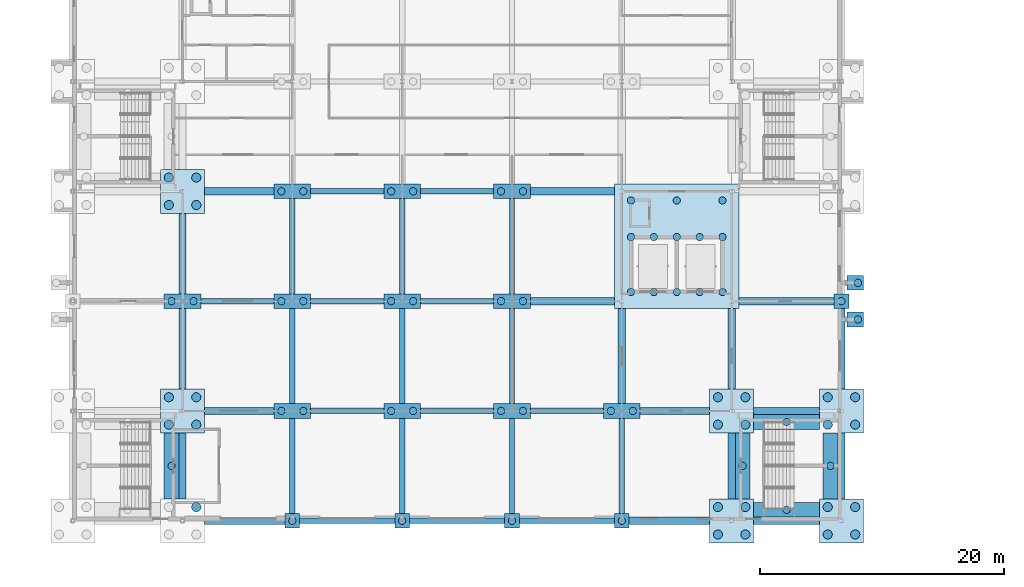
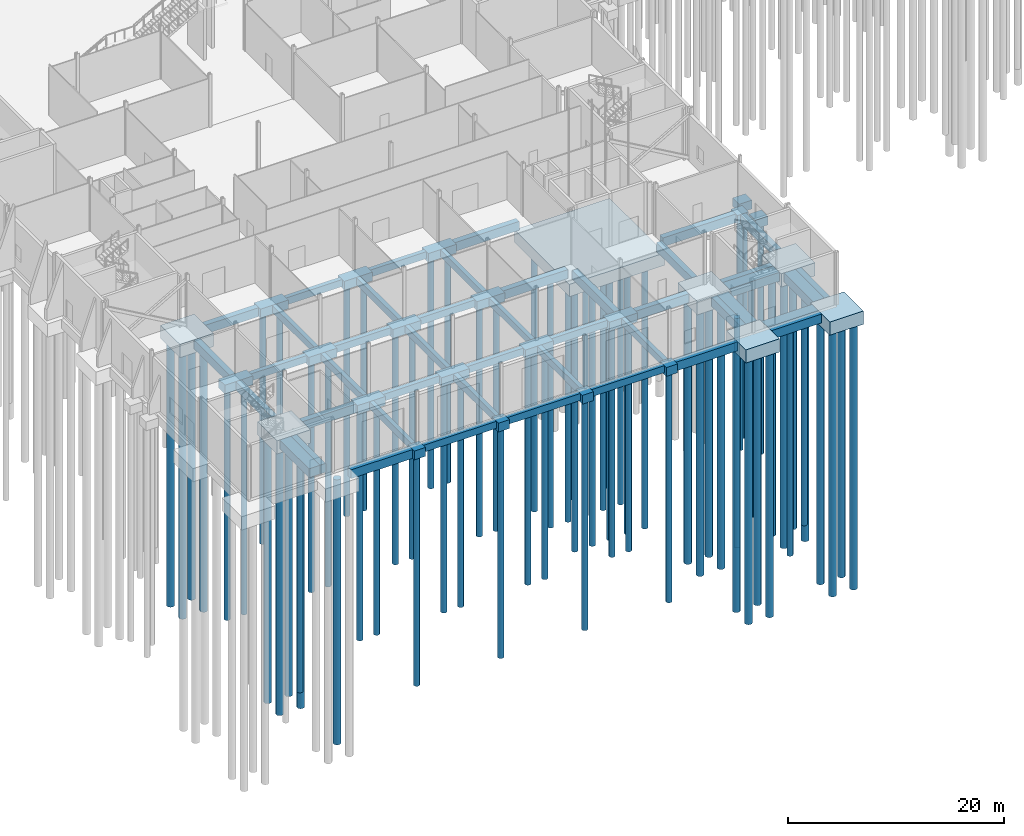
# One storey, part 2 of 139: 72 piles, 69 footings.
"""IFC4 building model written with IfcOpenShell, lengths in metres."""

import ifcopenshell
import ifcopenshell.guid

model = None  # the IFC model being written
_history = None  # IfcOwnerHistory: only IFC2X3 demands one
_inside = {}  # id of a spatial element -> (the spatial element, [elements in it])
_under = {}  # id of a project, library or spatial element -> (it, [spatial elements below it])
_declared = {}  # id of a project -> (the project, [libraries it declares])
_typed = {}  # id of a type object -> (the type object, [elements of that type])
_made_of = {}  # id of a material, layer set ... -> (it, [elements and type objects made of it])


def new_model(schema):
    """Start an empty IFC model of exactly this schema.

    Asked for "IFC4X3", IfcOpenShell would pick the latest addendum, in which some entities
    have other attributes; the version numbers below select the first issue.
    IFC2X3 requires an IfcOwnerHistory on every rooted entity: one is made here for all.
    """
    global model, _history
    if schema == "IFC4X3":
        model = ifcopenshell.file(schema_version=(4, 3, 0, 0))
    else:
        model = ifcopenshell.file(schema=schema)
    _inside.clear()
    _under.clear()
    _declared.clear()
    _typed.clear()
    _made_of.clear()
    _history = None
    if model.schema == "IFC2X3":
        org = make("IfcOrganization", Name="unknown")
        user = make(
            "IfcPersonAndOrganization",
            ThePerson=make("IfcPerson", FamilyName="unknown"),
            TheOrganization=org,
        )
        app = make(
            "IfcApplication",
            ApplicationDeveloper=org,
            Version="unknown",
            ApplicationFullName="unknown",
            ApplicationIdentifier="unknown",
        )
        _history = make(
            "IfcOwnerHistory",
            OwningUser=user,
            OwningApplication=app,
            ChangeAction="ADDED",
            CreationDate=0,
        )
    return model


def make(cls, **values):
    """One entity of the class cls with the attributes given. An attribute that is None is left unset."""
    return model.create_entity(
        cls, **{name: value for name, value in values.items() if value is not None}
    )


def rooted(cls, **values):
    """An entity with a GlobalId (a new one), such as an element, a storey or a relation."""
    return make(cls, GlobalId=ifcopenshell.guid.new(), OwnerHistory=_history, **values)


def si_unit(unit_type, name, prefix=None):
    """IfcSIUnit, for example si_unit("LENGTHUNIT", "METRE", prefix="MILLI")."""
    return make("IfcSIUnit", UnitType=unit_type, Prefix=prefix, Name=name)


def assignment(units):
    """IfcUnitAssignment: the units of a project."""
    return None if units is None else make("IfcUnitAssignment", Units=units)


def point(xyz):
    """IfcCartesianPoint."""
    return None if xyz is None else make("IfcCartesianPoint", Coordinates=xyz)


def direction(xyz):
    """IfcDirection."""
    return None if xyz is None else make("IfcDirection", DirectionRatios=xyz)


def frame(location, z_axis=None, x_axis=None):
    """IfcAxis2Placement3D, a coordinate frame: its origin and axes. An axis left out is left unset."""
    return make(
        "IfcAxis2Placement3D",
        Location=point(location),
        Axis=direction(z_axis),
        RefDirection=direction(x_axis),
    )


def frame_2d(location, x_axis=None):
    """IfcAxis2Placement2D, a coordinate frame in the plane: its origin and x axis."""
    return make(
        "IfcAxis2Placement2D", Location=point(location), RefDirection=direction(x_axis)
    )


def origin():
    """The frame at (0, 0, 0) with its axes left unset."""
    return frame((0.0, 0.0, 0.0))


def origin_2d():
    """The frame at (0, 0) in the plane with its x axis left unset."""
    return frame_2d((0.0, 0.0))


def place(relative_to, where):
    """IfcLocalPlacement: puts the frame where relative to a parent placement (None: the world)."""
    return make(
        "IfcLocalPlacement", PlacementRelTo=relative_to, RelativePlacement=where
    )


def context(
    kind, dimensions, precision=None, world=None, true_north=None, identifier=None
):
    """IfcGeometricRepresentationContext, for example the 3D "Model" context."""
    return make(
        "IfcGeometricRepresentationContext",
        ContextIdentifier=identifier,
        ContextType=kind,
        CoordinateSpaceDimension=dimensions,
        Precision=precision,
        WorldCoordinateSystem=world,
        TrueNorth=true_north,
    )


def subcontext(parent, identifier, kind, view, scale=None):
    """IfcGeometricRepresentationSubContext, for example "Body" below "Model"."""
    return make(
        "IfcGeometricRepresentationSubContext",
        ContextIdentifier=identifier,
        ContextType=kind,
        ParentContext=parent,
        TargetScale=scale,
        TargetView=view,
    )


def project(units=None, contexts=None):
    """IfcProject with its units and contexts."""
    return rooted(
        "IfcProject",
        Name="project",
        RepresentationContexts=contexts,
        UnitsInContext=assignment(units),
    )


def spatial(cls, under=None, at=None, **own):
    """A site, building, storey or space (cls), placed at a placement, below another one or the project."""
    s = rooted(cls, ObjectPlacement=at, **own)
    if under is not None:
        _under.setdefault(under.id(), (under, []))[1].append(s)
    return s


def profile(cls, at=None, kind="AREA", **sizes):
    """A parametric profile (cls). Its sizes go by their IFC names, for example OverallWidth=200.0."""
    return make(cls, ProfileType=kind, Position=at, **sizes)


def rectangle(**sizes):
    """IfcRectangleProfileDef."""
    return profile("IfcRectangleProfileDef", **sizes)


def circle(**sizes):
    """IfcCircleProfileDef."""
    return profile("IfcCircleProfileDef", **sizes)


def extrude(swept, where, along, depth):
    """IfcExtrudedAreaSolid: the profile swept, set in the frame where, extruded along a direction by depth."""
    return make(
        "IfcExtrudedAreaSolid",
        SweptArea=swept,
        Position=where,
        ExtrudedDirection=direction(along),
        Depth=depth,
    )


def shape(context_of_items, identifier, shape_type, items):
    """IfcShapeRepresentation: the items that make up one representation, for example the "Body"."""
    return make(
        "IfcShapeRepresentation",
        ContextOfItems=context_of_items,
        RepresentationIdentifier=identifier,
        RepresentationType=shape_type,
        Items=items,
    )


def material(Name=None, Category=None):
    """IfcMaterial."""
    return make("IfcMaterial", Name=Name, Category=Category)


def material_profile(
    of_material, cross_section, Name=None, Category=None, Priority=None
):
    """IfcMaterialProfile: a cross section and its material."""
    return make(
        "IfcMaterialProfile",
        Name=Name,
        Material=of_material,
        Profile=cross_section,
        Priority=Priority,
        Category=Category,
    )


def profile_set(profiles, Name=None, composite=None):
    """IfcMaterialProfileSet."""
    return make(
        "IfcMaterialProfileSet",
        Name=Name,
        MaterialProfiles=profiles,
        CompositeProfile=composite,
    )


def made_of(thing, what):
    """Note that an element or type object is made of a material, layer set ...; save() writes the relation."""
    if what is not None:
        _made_of.setdefault(what.id(), (what, []))[1].append(thing)
    return thing


def type_object(cls, material=None, **own):
    """A type object (cls), such as IfcWallType, which elements share."""
    return made_of(rooted(cls, **own), material)


def element(
    cls,
    number,
    at=None,
    inside=None,
    cuts=None,
    type_object=None,
    material=None,
    context=None,
    identifier="Body",
    shape_type=None,
    held_by="IfcProductDefinitionShape",
    body=None,
    shapes=None,
    **own,
):
    """One element of the class cls, such as IfcWall. Its Tag is "e" and its number.

    at: its placement. inside: the storey or other place that contains it. cuts: it is an
    opening in that element (IfcRelVoidsElement). A single representation is given by context,
    identifier, shape_type and body (its items); several are given by shapes. held_by: the class
    of the entity that holds the representations. save() writes the other relations.
    """
    e = rooted(cls, Tag="e%d" % number, ObjectPlacement=at, **own)
    if body is not None:
        shapes = [shape(context, identifier, shape_type, body)]
    if shapes is not None:
        e.Representation = make(held_by, Representations=shapes)
    if inside is not None:
        _inside.setdefault(inside.id(), (inside, []))[1].append(e)
    if cuts is not None:
        rooted(
            "IfcRelVoidsElement", RelatingBuildingElement=cuts, RelatedOpeningElement=e
        )
    if type_object is not None:
        _typed.setdefault(type_object.id(), (type_object, []))[1].append(e)
    return made_of(e, material)


def aggregate(whole, parts):
    """IfcRelAggregates: a whole, such as a stair, and the parts it consists of."""
    return rooted("IfcRelAggregates", RelatingObject=whole, RelatedObjects=parts)


def save(model, path):
    """Write the relations noted so far, then the file.

    IfcRelAggregates (storeys below a building ...), IfcRelContainedInSpatialStructure (elements
    in a storey), IfcRelDefinesByType, IfcRelAssociatesMaterial and IfcRelDeclares: one each for
    every whole, place, type object, material and project.
    """
    for whole, parts in _under.values():
        aggregate(whole, parts)
    for where, things in _inside.values():
        rooted(
            "IfcRelContainedInSpatialStructure",
            RelatedElements=things,
            RelatingStructure=where,
        )
    for kind, things in _typed.values():
        rooted("IfcRelDefinesByType", RelatedObjects=things, RelatingType=kind)
    for what, things in _made_of.values():
        rooted("IfcRelAssociatesMaterial", RelatedObjects=things, RelatingMaterial=what)
    for by, libraries in _declared.values():
        rooted("IfcRelDeclares", RelatingContext=by, RelatedDefinitions=libraries)
    model.write(path)


model = new_model("IFC4")

# Units and contexts
model_context = context("Model", 3, precision=1e-05, world=origin(), true_north=direction((0.0, 1.0)))
body_context = subcontext(model_context, "Body", "Model", "MODEL_VIEW")
ifc_project = project(units=[si_unit("LENGTHUNIT", "METRE"), si_unit("AREAUNIT", "SQUARE_METRE"), si_unit("VOLUMEUNIT", "CUBIC_METRE"), si_unit("PLANEANGLEUNIT", "RADIAN"), si_unit("MASSUNIT", "GRAM", prefix="KILO")], contexts=[model_context])

# Site, building, storey
site_placement = place(None, origin())
site = spatial("IfcSite", under=ifc_project, at=site_placement, CompositionType="ELEMENT")
building_placement = place(site_placement, origin())
building = spatial("IfcBuilding", under=site, at=building_placement, Name="Shorebreak Coast Museum", CompositionType="ELEMENT")
storey_placement = place(building_placement, origin())
storey = spatial("IfcBuildingStorey", under=building, at=storey_placement, Name="L00", CompositionType="ELEMENT", Elevation=0.0)

# Footings
ifc_material_1 = material(Name="Concrete N50 (50 MPa)", Category="concrete")
footing_type_1 = type_object("IfcFootingType", Name="Footing ground beam 450x800", PredefinedType="FOOTING_BEAM", material=ifc_material_1)
footing_1_placement = place(storey_placement, frame((76.5, 0.0, -1.10009765625), z_axis=(0.0, 0.0, 1.0), x_axis=(1.0, 0.0, 0.0)))
element("IfcFooting", 1, at=footing_1_placement, inside=storey, type_object=footing_type_1, Name="Ground beam 9A to 10A", PredefinedType="FOOTING_BEAM", context=body_context, shape_type="SweptSolid", body=[
    extrude(rectangle(XDim=7.800048828125, YDim=0.449951171875, at=origin_2d()), origin(), (0.0, 0.0, 1.0), 0.800048828125),
])
footing_2_placement = place(storey_placement, frame((72.0, 4.5, -1.10009765625), z_axis=(0.0, 0.0, 1.0), x_axis=(1.0, 0.0, 0.0)))
element("IfcFooting", 2, at=footing_2_placement, inside=storey, type_object=footing_type_1, Name="Ground beam 9A to 9B", PredefinedType="FOOTING_BEAM", context=body_context, shape_type="SweptSolid", body=[
    extrude(rectangle(XDim=0.449951171875, YDim=7.800048828125, at=origin_2d()), origin(), (0.0, 0.0, 1.0), 0.800048828125),
])
footing_3_placement = place(storey_placement, frame((85.5, 0.0, -1.10009765625), z_axis=(0.0, 0.0, 1.0), x_axis=(1.0, 0.0, 0.0)))
element("IfcFooting", 3, at=footing_3_placement, inside=storey, type_object=footing_type_1, Name="Ground beam 10A to 11A", PredefinedType="FOOTING_BEAM", context=body_context, shape_type="SweptSolid", body=[
    extrude(rectangle(XDim=7.800048828125, YDim=0.449951171875, at=origin_2d()), origin(), (0.0, 0.0, 1.0), 0.800048828125),
])
footing_4_placement = place(storey_placement, frame((81.0, 4.5, -1.10009765625), z_axis=(0.0, 0.0, 1.0), x_axis=(1.0, 0.0, 0.0)))
element("IfcFooting", 4, at=footing_4_placement, inside=storey, type_object=footing_type_1, Name="Ground beam 10A to 10B", PredefinedType="FOOTING_BEAM", context=body_context, shape_type="SweptSolid", body=[
    extrude(rectangle(XDim=0.449951171875, YDim=7.800048828125, at=origin_2d()), origin(), (0.0, 0.0, 1.0), 0.800048828125),
])
footing_5_placement = place(storey_placement, frame((94.5, 0.0, -1.10009765625), z_axis=(0.0, 0.0, 1.0), x_axis=(1.0, 0.0, 0.0)))
element("IfcFooting", 5, at=footing_5_placement, inside=storey, type_object=footing_type_1, Name="Ground beam 11A to 12A", PredefinedType="FOOTING_BEAM", context=body_context, shape_type="SweptSolid", body=[
    extrude(rectangle(XDim=7.800048828125, YDim=0.449951171875, at=origin_2d()), origin(), (0.0, 0.0, 1.0), 0.800048828125),
])
for number, where, z_axis, x_axis, name in (
    (6, (90.0, 4.5, -1.10009765625), (0.0, 0.0, 1.0), (1.0, 0.0, 0.0), "Ground beam 11A to 11B"),
    (7, (99.0, 4.5, -1.10009765625), (0.0, 0.0, 1.0), (1.0, 0.0, 0.0), "Ground beam 12A to 12B"),
):
    element("IfcFooting", number, at=place(storey_placement, frame(where, z_axis=z_axis, x_axis=x_axis)), inside=storey, type_object=footing_type_1, Name=name, PredefinedType="FOOTING_BEAM", context=body_context, shape_type="SweptSolid", body=[
        extrude(rectangle(XDim=0.449951171875, YDim=7.800048828125, at=origin_2d()), origin(), (0.0, 0.0, 1.0), 0.800048828125),
    ])
footing_6_placement = place(storey_placement, frame((76.5, 9.0, -1.10009765625), z_axis=(0.0, 0.0, 1.0), x_axis=(1.0, 0.0, 0.0)))
element("IfcFooting", 8, at=footing_6_placement, inside=storey, type_object=footing_type_1, Name="Ground beam 9B to 10B", PredefinedType="FOOTING_BEAM", context=body_context, shape_type="SweptSolid", body=[
    extrude(rectangle(XDim=6.0, YDim=0.449951171875, at=origin_2d()), origin(), (0.0, 0.0, 1.0), 0.800048828125),
])
footing_7_placement = place(storey_placement, frame((72.0, 13.5, -1.10009765625), z_axis=(0.0, 0.0, 1.0), x_axis=(1.0, 0.0, 0.0)))
element("IfcFooting", 9, at=footing_7_placement, inside=storey, type_object=footing_type_1, Name="Ground beam 9B to 9C", PredefinedType="FOOTING_BEAM", context=body_context, shape_type="SweptSolid", body=[
    extrude(rectangle(XDim=0.449951171875, YDim=7.800048828125, at=origin_2d()), origin(), (0.0, 0.0, 1.0), 0.800048828125),
])
footing_8_placement = place(storey_placement, frame((85.5, 9.0, -1.10009765625), z_axis=(0.0, 0.0, 1.0), x_axis=(1.0, 0.0, 0.0)))
element("IfcFooting", 10, at=footing_8_placement, inside=storey, type_object=footing_type_1, Name="Ground beam 10B to 11B", PredefinedType="FOOTING_BEAM", context=body_context, shape_type="SweptSolid", body=[
    extrude(rectangle(XDim=6.0, YDim=0.449951171875, at=origin_2d()), origin(), (0.0, 0.0, 1.0), 0.800048828125),
])
footing_9_placement = place(storey_placement, frame((81.0, 13.5, -1.10009765625), z_axis=(0.0, 0.0, 1.0), x_axis=(1.0, 0.0, 0.0)))
element("IfcFooting", 11, at=footing_9_placement, inside=storey, type_object=footing_type_1, Name="Ground beam 10B to 10C", PredefinedType="FOOTING_BEAM", context=body_context, shape_type="SweptSolid", body=[
    extrude(rectangle(XDim=0.449951171875, YDim=7.800048828125, at=origin_2d()), origin(), (0.0, 0.0, 1.0), 0.800048828125),
])
footing_10_placement = place(storey_placement, frame((94.5, 9.0, -1.10009765625), z_axis=(0.0, 0.0, 1.0), x_axis=(1.0, 0.0, 0.0)))
element("IfcFooting", 12, at=footing_10_placement, inside=storey, type_object=footing_type_1, Name="Ground beam 11B to 12B", PredefinedType="FOOTING_BEAM", context=body_context, shape_type="SweptSolid", body=[
    extrude(rectangle(XDim=6.0, YDim=0.449951171875, at=origin_2d()), origin(), (0.0, 0.0, 1.0), 0.800048828125),
])
footing_11_placement = place(storey_placement, frame((90.0, 13.5, -1.10009765625), z_axis=(0.0, 0.0, 1.0), x_axis=(1.0, 0.0, 0.0)))
element("IfcFooting", 13, at=footing_11_placement, inside=storey, type_object=footing_type_1, Name="Ground beam 11B to 11C", PredefinedType="FOOTING_BEAM", context=body_context, shape_type="SweptSolid", body=[
    extrude(rectangle(XDim=0.449951171875, YDim=7.800048828125, at=origin_2d()), origin(), (0.0, 0.0, 1.0), 0.800048828125),
])
for number, where, z_axis, x_axis, name in (
    (14, (67.5, 18.0, -1.10009765625), (0.0, 0.0, 1.0), (1.0, 0.0, 0.0), "Ground beam 8C to 9C"),
    (15, (76.5, 18.0, -1.10009765625), (0.0, 0.0, 1.0), (1.0, 0.0, 0.0), "Ground beam 9C to 10C"),
):
    element("IfcFooting", number, at=place(storey_placement, frame(where, z_axis=z_axis, x_axis=x_axis)), inside=storey, type_object=footing_type_1, Name=name, PredefinedType="FOOTING_BEAM", context=body_context, shape_type="SweptSolid", body=[
        extrude(rectangle(XDim=6.0, YDim=0.449951171875, at=origin_2d()), origin(), (0.0, 0.0, 1.0), 0.800048828125),
    ])
footing_12_placement = place(storey_placement, frame((72.0, 22.5, -1.10009765625), z_axis=(0.0, 0.0, 1.0), x_axis=(1.0, 0.0, 0.0)))
element("IfcFooting", 16, at=footing_12_placement, inside=storey, type_object=footing_type_1, Name="Ground beam 9C to 9D", PredefinedType="FOOTING_BEAM", context=body_context, shape_type="SweptSolid", body=[
    extrude(rectangle(XDim=0.449951171875, YDim=7.800048828125, at=origin_2d()), origin(), (0.0, 0.0, 1.0), 0.800048828125),
])
footing_13_placement = place(storey_placement, frame((85.5, 18.0, -1.10009765625), z_axis=(0.0, 0.0, 1.0), x_axis=(1.0, 0.0, 0.0)))
element("IfcFooting", 17, at=footing_13_placement, inside=storey, type_object=footing_type_1, Name="Ground beam 10C to 11C", PredefinedType="FOOTING_BEAM", context=body_context, shape_type="SweptSolid", body=[
    extrude(rectangle(XDim=6.0, YDim=0.449951171875, at=origin_2d()), origin(), (0.0, 0.0, 1.0), 0.800048828125),
])
for number, where, z_axis, x_axis, name in (
    (18, (81.0, 22.5, -1.10009765625), (0.0, 0.0, 1.0), (1.0, 0.0, 0.0), "Ground beam 10C to 10D"),
    (19, (90.0, 22.5, -1.10009765625), (0.0, 0.0, 1.0), (1.0, 0.0, 0.0), "Ground beam 11C to 11D"),
):
    element("IfcFooting", number, at=place(storey_placement, frame(where, z_axis=z_axis, x_axis=x_axis)), inside=storey, type_object=footing_type_1, Name=name, PredefinedType="FOOTING_BEAM", context=body_context, shape_type="SweptSolid", body=[
        extrude(rectangle(XDim=0.449951171875, YDim=7.800048828125, at=origin_2d()), origin(), (0.0, 0.0, 1.0), 0.800048828125),
    ])
for number, where, z_axis, x_axis, name in (
    (20, (76.5, 27.0, -1.10009765625), (0.0, 0.0, 1.0), (1.0, 0.0, 0.0), "Ground beam 9D to 10D"),
    (21, (85.5, 27.0, -1.10009765625), (0.0, 0.0, 1.0), (1.0, 0.0, 0.0), "Ground beam 10D to 11D"),
):
    element("IfcFooting", number, at=place(storey_placement, frame(where, z_axis=z_axis, x_axis=x_axis)), inside=storey, type_object=footing_type_1, Name=name, PredefinedType="FOOTING_BEAM", context=body_context, shape_type="SweptSolid", body=[
        extrude(rectangle(XDim=6.0, YDim=0.449951171875, at=origin_2d()), origin(), (0.0, 0.0, 1.0), 0.800048828125),
    ])
ifc_material_2 = material(Name="Concrete N50 (50 MPa)", Category="concrete")
footing_type_2 = type_object("IfcFootingType", Name="Footing ground beam 600x1000", PredefinedType="FOOTING_BEAM", material=ifc_material_2)
footing_14_placement = place(storey_placement, frame((68.10009765625, 0.0, -1.300048828125), z_axis=(0.0, 0.0, 1.0), x_axis=(1.0, 0.0, 0.0)))
element("IfcFooting", 22, at=footing_14_placement, inside=storey, type_object=footing_type_2, Name="Ground beam 8A to 9A", PredefinedType="FOOTING_BEAM", context=body_context, shape_type="SweptSolid", body=[
    extrude(rectangle(XDim=6.60009765625, YDim=0.60009765625, at=origin_2d()), origin(), (0.0, 0.0, 1.0), 1.0),
])
footing_15_placement = place(storey_placement, frame((63.0, 4.5, -1.300048828125), z_axis=(0.0, 0.0, 1.0), x_axis=(1.0, 0.0, 0.0)))
element("IfcFooting", 23, at=footing_15_placement, inside=storey, type_object=footing_type_2, Name="Ground beam 8A to 8B", PredefinedType="FOOTING_BEAM", context=body_context, shape_type="SweptSolid", body=[
    extrude(rectangle(XDim=0.60009765625, YDim=5.39990234375, at=origin_2d()), origin(), (0.0, 0.0, 1.0), 1.0),
])
footing_16_placement = place(storey_placement, frame((102.89990234375, 0.0, -1.300048828125), z_axis=(0.0, 0.0, 1.0), x_axis=(1.0, 0.0, 0.0)))
element("IfcFooting", 24, at=footing_16_placement, inside=storey, type_object=footing_type_2, Name="Ground beam 12A to 13A", PredefinedType="FOOTING_BEAM", context=body_context, shape_type="SweptSolid", body=[
    extrude(rectangle(XDim=6.60009765625, YDim=0.60009765625, at=origin_2d()), origin(), (0.0, 0.0, 1.0), 1.0),
])
footing_17_placement = place(storey_placement, frame((112.5, 0.0, -1.300048828125), z_axis=(0.0, 0.0, 1.0), x_axis=(1.0, 0.0, 0.0)))
element("IfcFooting", 25, at=footing_17_placement, inside=storey, type_object=footing_type_2, Name="Ground beam 13A to 14A", PredefinedType="FOOTING_BEAM", context=body_context, shape_type="SweptSolid", body=[
    extrude(rectangle(XDim=5.39990234375, YDim=0.60009765625, at=origin_2d()), origin(), (0.0, 0.0, 1.0), 1.0),
])
for number, where, z_axis, x_axis, name in (
    (26, (108.0, 4.5, -1.300048828125), (0.0, 0.0, 1.0), (1.0, 0.0, 0.0), "Ground beam 13A to 13B"),
    (27, (117.0, 4.5, -1.300048828125), (0.0, 0.0, 1.0), (1.0, 0.0, 0.0), "Ground beam 14A to 14B"),
):
    element("IfcFooting", number, at=place(storey_placement, frame(where, z_axis=z_axis, x_axis=x_axis)), inside=storey, type_object=footing_type_2, Name=name, PredefinedType="FOOTING_BEAM", context=body_context, shape_type="SweptSolid", body=[
        extrude(rectangle(XDim=0.60009765625, YDim=5.39990234375, at=origin_2d()), origin(), (0.0, 0.0, 1.0), 1.0),
    ])
footing_18_placement = place(storey_placement, frame((67.64990234375, 9.0, -1.300048828125), z_axis=(0.0, 0.0, 1.0), x_axis=(1.0, 0.0, 0.0)))
element("IfcFooting", 28, at=footing_18_placement, inside=storey, type_object=footing_type_2, Name="Ground beam 8B to 9B", PredefinedType="FOOTING_BEAM", context=body_context, shape_type="SweptSolid", body=[
    extrude(rectangle(XDim=5.699951171875, YDim=0.60009765625, at=origin_2d()), origin(), (0.0, 0.0, 1.0), 1.0),
])
footing_19_placement = place(storey_placement, frame((63.0, 14.10009765625, -1.300048828125), z_axis=(0.0, 0.0, 1.0), x_axis=(1.0, 0.0, 0.0)))
element("IfcFooting", 29, at=footing_19_placement, inside=storey, type_object=footing_type_2, Name="Ground beam 8B to 8C", PredefinedType="FOOTING_BEAM", context=body_context, shape_type="SweptSolid", body=[
    extrude(rectangle(XDim=0.60009765625, YDim=6.60009765625, at=origin_2d()), origin(), (0.0, 0.0, 1.0), 1.0),
])
footing_20_placement = place(storey_placement, frame((103.35009765625, 9.0, -1.300048828125), z_axis=(0.0, 0.0, 1.0), x_axis=(1.0, 0.0, 0.0)))
element("IfcFooting", 30, at=footing_20_placement, inside=storey, type_object=footing_type_2, Name="Ground beam 12B to 13B", PredefinedType="FOOTING_BEAM", context=body_context, shape_type="SweptSolid", body=[
    extrude(rectangle(XDim=5.699951171875, YDim=0.60009765625, at=origin_2d()), origin(), (0.0, 0.0, 1.0), 1.0),
])
footing_21_placement = place(storey_placement, frame((99.0, 13.5, -1.300048828125), z_axis=(0.0, 0.0, 1.0), x_axis=(1.0, 0.0, 0.0)))
element("IfcFooting", 31, at=footing_21_placement, inside=storey, type_object=footing_type_2, Name="Ground beam 12B to 12C", PredefinedType="FOOTING_BEAM", context=body_context, shape_type="SweptSolid", body=[
    extrude(rectangle(XDim=0.60009765625, YDim=7.800048828125, at=origin_2d()), origin(), (0.0, 0.0, 1.0), 1.0),
])
footing_22_placement = place(storey_placement, frame((112.5, 9.0, -1.300048828125), z_axis=(0.0, 0.0, 1.0), x_axis=(1.0, 0.0, 0.0)))
element("IfcFooting", 32, at=footing_22_placement, inside=storey, type_object=footing_type_2, Name="Ground beam 13B to 14B", PredefinedType="FOOTING_BEAM", context=body_context, shape_type="SweptSolid", body=[
    extrude(rectangle(XDim=5.39990234375, YDim=0.60009765625, at=origin_2d()), origin(), (0.0, 0.0, 1.0), 1.0),
])
for number, where, z_axis, x_axis, name in (
    (33, (108.0, 14.10009765625, -1.300048828125), (0.0, 0.0, 1.0), (1.0, 0.0, 0.0), "Ground beam 13B to 13C"),
    (34, (117.0, 14.10009765625, -1.300048828125), (0.0, 0.0, 1.0), (1.0, 0.0, 0.0), "Ground beam 14B to 14C"),
    (35, (63.0, 21.89990234375, -1.300048828125), (0.0, 0.0, 1.0), (1.0, 0.0, 0.0), "Ground beam 8C to 8D"),
):
    element("IfcFooting", number, at=place(storey_placement, frame(where, z_axis=z_axis, x_axis=x_axis)), inside=storey, type_object=footing_type_2, Name=name, PredefinedType="FOOTING_BEAM", context=body_context, shape_type="SweptSolid", body=[
        extrude(rectangle(XDim=0.60009765625, YDim=6.60009765625, at=origin_2d()), origin(), (0.0, 0.0, 1.0), 1.0),
    ])
footing_23_placement = place(storey_placement, frame((94.949951171875, 18.0, -1.300048828125), z_axis=(0.0, 0.0, 1.0), x_axis=(1.0, 0.0, 0.0)))
element("IfcFooting", 36, at=footing_23_placement, inside=storey, type_object=footing_type_2, Name="Ground beam 11C to 12C", PredefinedType="FOOTING_BEAM", context=body_context, shape_type="SweptSolid", body=[
    extrude(rectangle(XDim=6.89990234375, YDim=0.60009765625, at=origin_2d()), origin(), (0.0, 0.0, 1.0), 1.0),
])
footing_24_placement = place(storey_placement, frame((112.5, 18.0, -1.300048828125), z_axis=(0.0, 0.0, 1.0), x_axis=(1.0, 0.0, 0.0)))
element("IfcFooting", 37, at=footing_24_placement, inside=storey, type_object=footing_type_2, Name="Ground beam 13C to 14C", PredefinedType="FOOTING_BEAM", context=body_context, shape_type="SweptSolid", body=[
    extrude(rectangle(XDim=7.800048828125, YDim=0.60009765625, at=origin_2d()), origin(), (0.0, 0.0, 1.0), 1.0),
])
footing_25_placement = place(storey_placement, frame((67.64990234375, 27.0, -1.300048828125), z_axis=(0.0, 0.0, 1.0), x_axis=(1.0, 0.0, 0.0)))
element("IfcFooting", 38, at=footing_25_placement, inside=storey, type_object=footing_type_2, Name="Ground beam 8D to 9D", PredefinedType="FOOTING_BEAM", context=body_context, shape_type="SweptSolid", body=[
    extrude(rectangle(XDim=5.699951171875, YDim=0.60009765625, at=origin_2d()), origin(), (0.0, 0.0, 1.0), 1.0),
])
footing_26_placement = place(storey_placement, frame((94.949951171875, 27.0, -1.300048828125), z_axis=(0.0, 0.0, 1.0), x_axis=(1.0, 0.0, 0.0)))
element("IfcFooting", 39, at=footing_26_placement, inside=storey, type_object=footing_type_2, Name="Ground beam 11D to 12D", PredefinedType="FOOTING_BEAM", context=body_context, shape_type="SweptSolid", body=[
    extrude(rectangle(XDim=6.89990234375, YDim=0.60009765625, at=origin_2d()), origin(), (0.0, 0.0, 1.0), 1.0),
])
ifc_material_3 = material(Name="Concrete N50 (50 MPa)", Category="concrete")
footing_type_3 = type_object("IfcFootingType", Name="Footing pile cap 1200x1200x1000", PredefinedType="PILE_CAP", material=ifc_material_3)
for number, where, z_axis, x_axis, name in (
    (40, (72.0, 0.0, -1.300048828125), (0.0, 0.0, 1.0), (1.0, 0.0, 0.0), "Pile cap 9A"),
    (41, (81.0, 0.0, -1.300048828125), (0.0, 0.0, 1.0), (1.0, 0.0, 0.0), "Pile cap 10A"),
    (42, (90.0, 0.0, -1.300048828125), (0.0, 0.0, 1.0), (1.0, 0.0, 0.0), "Pile cap 11A"),
    (43, (99.0, 0.0, -1.300048828125), (0.0, 0.0, 1.0), (1.0, 0.0, 0.0), "Pile cap 12A"),
    (44, (117.0, 18.0, -1.300048828125), (0.0, 0.0, 1.0), (1.0, 0.0, 0.0), "Pile cap 14C"),
):
    element("IfcFooting", number, at=place(storey_placement, frame(where, z_axis=z_axis, x_axis=x_axis)), inside=storey, type_object=footing_type_3, Name=name, PredefinedType="PILE_CAP", context=body_context, shape_type="SweptSolid", body=[
        extrude(rectangle(XDim=1.199951171875, YDim=1.199951171875, at=origin_2d()), origin(), (0.0, 0.0, 1.0), 1.0),
    ])
ifc_material_4 = material(Name="Concrete N50 (50 MPa)", Category="concrete")
footing_type_4 = type_object("IfcFootingType", Name="Footing pile cap 3000x1200x1000", PredefinedType="PILE_CAP", material=ifc_material_4)
for number, where, z_axis, x_axis, name in (
    (45, (72.0, 9.0, -1.300048828125), (0.0, 0.0, 1.0), (1.0, 0.0, 0.0), "Pile cap 9B"),
    (46, (81.0, 9.0, -1.300048828125), (0.0, 0.0, 1.0), (1.0, 0.0, 0.0), "Pile cap 10B"),
    (47, (90.0, 9.0, -1.300048828125), (0.0, 0.0, 1.0), (1.0, 0.0, 0.0), "Pile cap 11B"),
    (48, (99.0, 9.0, -1.300048828125), (0.0, 0.0, 1.0), (1.0, 0.0, 0.0), "Pile cap 12B"),
    (49, (63.0, 18.0, -1.300048828125), (0.0, 0.0, 1.0), (1.0, 0.0, 0.0), "Pile cap 8C"),
    (50, (72.0, 18.0, -1.300048828125), (0.0, 0.0, 1.0), (1.0, 0.0, 0.0), "Pile cap 9C"),
    (51, (81.0, 18.0, -1.300048828125), (0.0, 0.0, 1.0), (1.0, 0.0, 0.0), "Pile cap 10C"),
    (52, (90.0, 18.0, -1.300048828125), (0.0, 0.0, 1.0), (1.0, 0.0, 0.0), "Pile cap 11C"),
    (53, (72.0, 27.0, -1.300048828125), (0.0, 0.0, 1.0), (1.0, 0.0, 0.0), "Pile cap 9D"),
    (54, (81.0, 27.0, -1.300048828125), (0.0, 0.0, 1.0), (1.0, 0.0, 0.0), "Pile cap 10D"),
    (55, (90.0, 27.0, -1.300048828125), (0.0, 0.0, 1.0), (1.0, 0.0, 0.0), "Pile cap 11D"),
):
    element("IfcFooting", number, at=place(storey_placement, frame(where, z_axis=z_axis, x_axis=x_axis)), inside=storey, type_object=footing_type_4, Name=name, PredefinedType="PILE_CAP", context=body_context, shape_type="SweptSolid", body=[
        extrude(rectangle(XDim=3.0, YDim=1.199951171875, at=origin_2d()), origin(), (0.0, 0.0, 1.0), 1.0),
    ])
ifc_material_5 = material(Name="Concrete N50 (50 MPa)", Category="concrete")
footing_type_5 = type_object("IfcFootingType", Name="Footing pile cap 3600x3600x1500", PredefinedType="PILE_CAP", material=ifc_material_5)
for number, where, z_axis, x_axis, name in (
    (56, (108.0, 0.0, -1.800048828125), (0.0, 0.0, 1.0), (1.0, 0.0, 0.0), "Pile cap 13A"),
    (57, (117.0, 0.0, -1.800048828125), (0.0, 0.0, 1.0), (1.0, 0.0, 0.0), "Pile cap 14A"),
    (58, (63.0, 9.0, -1.800048828125), (0.0, 0.0, 1.0), (1.0, 0.0, 0.0), "Pile cap 8B"),
    (59, (108.0, 9.0, -1.800048828125), (0.0, 0.0, 1.0), (1.0, 0.0, 0.0), "Pile cap 13B"),
    (60, (117.0, 9.0, -1.800048828125), (0.0, 0.0, 1.0), (1.0, 0.0, 0.0), "Pile cap 14B"),
    (61, (63.0, 27.0, -1.800048828125), (0.0, 0.0, 1.0), (1.0, 0.0, 0.0), "Pile cap 8D"),
):
    element("IfcFooting", number, at=place(storey_placement, frame(where, z_axis=z_axis, x_axis=x_axis)), inside=storey, type_object=footing_type_5, Name=name, PredefinedType="PILE_CAP", context=body_context, shape_type="SweptSolid", body=[
        extrude(rectangle(XDim=3.60009765625, YDim=3.60009765625, at=origin_2d()), origin(), (0.0, 0.0, 1.0), 1.5),
    ])
ifc_material_6 = material(Name="Concrete N50 (50 MPa)", Category="concrete")
footing_type_6 = type_object("IfcFootingType", Name="Footing raft 10200x10200x1400", PredefinedType="PILE_CAP", material=ifc_material_6)
footing_27_placement = place(storey_placement, frame((103.5, 22.5, -3.199951171875), z_axis=(0.0, 0.0, 1.0), x_axis=(1.0, 0.0, 0.0)))
element("IfcFooting", 62, at=footing_27_placement, inside=storey, type_object=footing_type_6, Name="Lift shaft raft LBG", PredefinedType="PILE_CAP", context=body_context, shape_type="SweptSolid", body=[
    extrude(rectangle(XDim=10.199951171875, YDim=10.199951171875, at=origin_2d()), origin(), (0.0, 0.0, 1.0), 1.39990234375),
])
ifc_material_7 = material(Name="Concrete N50 (50 MPa)", Category="concrete")
footing_type_7 = type_object("IfcFootingType", Name="Footing strip footing 1200x5400x1000", PredefinedType="STRIP_FOOTING", material=ifc_material_7)
for number, where, z_axis, x_axis, name in (
    (63, (62.10009765625, 4.5, -1.300048828125), (0.0, 0.0, 1.0), (1.0, 0.0, 0.0), "Core wall strip footing ST11 east side"),
    (64, (108.89990234375, 4.5, -1.300048828125), (0.0, 0.0, 1.0), (1.0, 0.0, 0.0), "Core wall strip footing ST12 west side"),
    (65, (116.10009765625, 4.5, -1.300048828125), (0.0, 0.0, 1.0), (1.0, 0.0, 0.0), "Core wall strip footing ST12 east side"),
):
    element("IfcFooting", number, at=place(storey_placement, frame(where, z_axis=z_axis, x_axis=x_axis)), inside=storey, type_object=footing_type_7, Name=name, PredefinedType="STRIP_FOOTING", context=body_context, shape_type="SweptSolid", body=[
        extrude(rectangle(XDim=1.199951171875, YDim=5.39990234375, at=origin_2d()), origin(), (0.0, 0.0, 1.0), 1.0),
    ])
ifc_material_8 = material(Name="Concrete N50 (50 MPa)", Category="concrete")
footing_type_8 = type_object("IfcFootingType", Name="Footing strip footing 1350x1200x1000", PredefinedType="STRIP_FOOTING", material=ifc_material_8)
for number, where, z_axis, x_axis, name in (
    (66, (118.125, 16.5, -1.300048828125), (0.0, 0.0, 1.0), (1.0, 0.0, 0.0), "Fin pad SE40"),
    (67, (118.125, 19.5, -1.300048828125), (0.0, 0.0, 1.0), (1.0, 0.0, 0.0), "Fin pad SE41"),
):
    element("IfcFooting", number, at=place(storey_placement, frame(where, z_axis=z_axis, x_axis=x_axis)), inside=storey, type_object=footing_type_8, Name=name, PredefinedType="STRIP_FOOTING", context=body_context, shape_type="SweptSolid", body=[
        extrude(rectangle(XDim=1.35009765625, YDim=1.199951171875, at=origin_2d()), origin(), (0.0, 0.0, 1.0), 1.0),
    ])
ifc_material_9 = material(Name="Concrete N50 (50 MPa)", Category="concrete")
footing_type_9 = type_object("IfcFootingType", Name="Footing strip footing 5400x1200x1000", PredefinedType="STRIP_FOOTING", material=ifc_material_9)
for number, where, z_axis, x_axis, name in (
    (68, (112.5, 0.89990234375, -1.300048828125), (0.0, 0.0, 1.0), (1.0, 0.0, 0.0), "Core wall strip footing ST12 south side"),
    (69, (112.5, 8.10009765625, -1.300048828125), (0.0, 0.0, 1.0), (1.0, 0.0, 0.0), "Core wall strip footing ST12 north side"),
):
    element("IfcFooting", number, at=place(storey_placement, frame(where, z_axis=z_axis, x_axis=x_axis)), inside=storey, type_object=footing_type_9, Name=name, PredefinedType="STRIP_FOOTING", context=body_context, shape_type="SweptSolid", body=[
        extrude(rectangle(XDim=5.39990234375, YDim=1.199951171875, at=origin_2d()), origin(), (0.0, 0.0, 1.0), 1.0),
    ])

# Piles
ifc_material_10 = material(Name="Concrete N50 (50 MPa)", Category="concrete")
ifc_material_profile_1 = material_profile(ifc_material_10, circle(Radius=0.300048828125, at=origin_2d()), Name="Pile bored 600 length 26")
ifc_profile_set_1 = profile_set([ifc_material_profile_1], Name="Concrete N50 (50 MPa)")
pile_type_1 = type_object("IfcPileType", Name="Pile bored 600 length 26", PredefinedType="BORED", material=ifc_profile_set_1)
for number, where, z_axis, x_axis, name in (
    (70, (72.0, 0.0, -1.300048828125), (0.0, 0.0, -1.0), (1.0, 0.0, 0.0), "Bored pile Pile cap 9A 1"),
    (71, (81.0, 0.0, -1.300048828125), (0.0, 0.0, -1.0), (1.0, 0.0, 0.0), "Bored pile Pile cap 10A 1"),
    (72, (90.0, 0.0, -1.300048828125), (0.0, 0.0, -1.0), (1.0, 0.0, 0.0), "Bored pile Pile cap 11A 1"),
    (73, (99.0, 0.0, -1.300048828125), (0.0, 0.0, -1.0), (1.0, 0.0, 0.0), "Bored pile Pile cap 12A 1"),
    (74, (71.10009765625, 9.0, -1.300048828125), (0.0, 0.0, -1.0), (1.0, 0.0, 0.0), "Bored pile Pile cap 9B 1"),
    (75, (72.89990234375, 9.0, -1.300048828125), (0.0, 0.0, -1.0), (1.0, 0.0, 0.0), "Bored pile Pile cap 9B 2"),
    (76, (80.10009765625, 9.0, -1.300048828125), (0.0, 0.0, -1.0), (1.0, 0.0, 0.0), "Bored pile Pile cap 10B 1"),
    (77, (81.89990234375, 9.0, -1.300048828125), (0.0, 0.0, -1.0), (1.0, 0.0, 0.0), "Bored pile Pile cap 10B 2"),
    (78, (89.10009765625, 9.0, -1.300048828125), (0.0, 0.0, -1.0), (1.0, 0.0, 0.0), "Bored pile Pile cap 11B 1"),
    (79, (90.89990234375, 9.0, -1.300048828125), (0.0, 0.0, -1.0), (1.0, 0.0, 0.0), "Bored pile Pile cap 11B 2"),
    (80, (98.10009765625, 9.0, -1.300048828125), (0.0, 0.0, -1.0), (1.0, 0.0, 0.0), "Bored pile Pile cap 12B 1"),
    (81, (99.89990234375, 9.0, -1.300048828125), (0.0, 0.0, -1.0), (1.0, 0.0, 0.0), "Bored pile Pile cap 12B 2"),
    (82, (62.10009765625, 18.0, -1.300048828125), (0.0, 0.0, -1.0), (1.0, 0.0, 0.0), "Bored pile Pile cap 8C 1"),
    (83, (63.89990234375, 18.0, -1.300048828125), (0.0, 0.0, -1.0), (1.0, 0.0, 0.0), "Bored pile Pile cap 8C 2"),
    (84, (71.10009765625, 18.0, -1.300048828125), (0.0, 0.0, -1.0), (1.0, 0.0, 0.0), "Bored pile Pile cap 9C 1"),
    (85, (72.89990234375, 18.0, -1.300048828125), (0.0, 0.0, -1.0), (1.0, 0.0, 0.0), "Bored pile Pile cap 9C 2"),
    (86, (80.10009765625, 18.0, -1.300048828125), (0.0, 0.0, -1.0), (1.0, 0.0, 0.0), "Bored pile Pile cap 10C 1"),
    (87, (81.89990234375, 18.0, -1.300048828125), (0.0, 0.0, -1.0), (1.0, 0.0, 0.0), "Bored pile Pile cap 10C 2"),
    (88, (89.10009765625, 18.0, -1.300048828125), (0.0, 0.0, -1.0), (1.0, 0.0, 0.0), "Bored pile Pile cap 11C 1"),
    (89, (90.89990234375, 18.0, -1.300048828125), (0.0, 0.0, -1.0), (1.0, 0.0, 0.0), "Bored pile Pile cap 11C 2"),
    (90, (117.0, 18.0, -1.300048828125), (0.0, 0.0, -1.0), (1.0, 0.0, 0.0), "Bored pile Pile cap 14C 1"),
    (91, (71.10009765625, 27.0, -1.300048828125), (0.0, 0.0, -1.0), (1.0, 0.0, 0.0), "Bored pile Pile cap 9D 1"),
    (92, (72.89990234375, 27.0, -1.300048828125), (0.0, 0.0, -1.0), (1.0, 0.0, 0.0), "Bored pile Pile cap 9D 2"),
    (93, (80.10009765625, 27.0, -1.300048828125), (0.0, 0.0, -1.0), (1.0, 0.0, 0.0), "Bored pile Pile cap 10D 1"),
    (94, (81.89990234375, 27.0, -1.300048828125), (0.0, 0.0, -1.0), (1.0, 0.0, 0.0), "Bored pile Pile cap 10D 2"),
    (95, (89.10009765625, 27.0, -1.300048828125), (0.0, 0.0, -1.0), (1.0, 0.0, 0.0), "Bored pile Pile cap 11D 1"),
    (96, (90.89990234375, 27.0, -1.300048828125), (0.0, 0.0, -1.0), (1.0, 0.0, 0.0), "Bored pile Pile cap 11D 2"),
    (97, (62.10009765625, 4.5, -1.300048828125), (0.0, 0.0, -1.0), (1.0, 0.0, 0.0), "Bored pile Core wall strip footing ST11 east side 1"),
    (98, (112.5, 0.89990234375, -1.300048828125), (0.0, 0.0, -1.0), (1.0, 0.0, 0.0), "Bored pile Core wall strip footing ST12 south side 1"),
    (99, (112.5, 8.10009765625, -1.300048828125), (0.0, 0.0, -1.0), (1.0, 0.0, 0.0), "Bored pile Core wall strip footing ST12 north side 1"),
    (100, (108.89990234375, 4.5, -1.300048828125), (0.0, 0.0, -1.0), (1.0, 0.0, 0.0), "Bored pile Core wall strip footing ST12 west side 1"),
    (101, (116.10009765625, 4.5, -1.300048828125), (0.0, 0.0, -1.0), (1.0, 0.0, 0.0), "Bored pile Core wall strip footing ST12 east side 1"),
    (102, (118.35009765625, 16.5, -1.300048828125), (0.0, 0.0, -1.0), (1.0, 0.0, 0.0), "Bored pile Fin pad SE40 1"),
    (103, (118.35009765625, 19.5, -1.300048828125), (0.0, 0.0, -1.0), (1.0, 0.0, 0.0), "Bored pile Fin pad SE41 1"),
):
    element("IfcPile", number, at=place(storey_placement, frame(where, z_axis=z_axis, x_axis=x_axis)), inside=storey, type_object=pile_type_1, Name=name, PredefinedType="BORED", context=body_context, shape_type="SweptSolid", body=[
        extrude(circle(Radius=0.300048828125, at=origin_2d()), origin(), (0.0, 0.0, 1.0), 26.0),
    ])
ifc_material_11 = material(Name="Concrete N50 (50 MPa)", Category="concrete")
ifc_material_profile_2 = material_profile(ifc_material_11, circle(Radius=0.300048828125, at=origin_2d()), Name="Pile bored 600 length 30")
ifc_profile_set_2 = profile_set([ifc_material_profile_2], Name="Concrete N50 (50 MPa)")
pile_type_2 = type_object("IfcPileType", Name="Pile bored 600 length 30", PredefinedType="BORED", material=ifc_profile_set_2)
for number, where, z_axis, x_axis, name in (
    (104, (99.75, 18.75, -3.199951171875), (0.0, 0.0, -1.0), (1.0, 0.0, 0.0), "Bored pile Lift shaft raft LBG 1"),
    (105, (99.75, 23.25, -3.199951171875), (0.0, 0.0, -1.0), (1.0, 0.0, 0.0), "Bored pile Lift shaft raft LBG 2"),
    (106, (101.625, 18.75, -3.199951171875), (0.0, 0.0, -1.0), (1.0, 0.0, 0.0), "Bored pile Lift shaft raft LBG 3"),
    (107, (101.625, 23.25, -3.199951171875), (0.0, 0.0, -1.0), (1.0, 0.0, 0.0), "Bored pile Lift shaft raft LBG 4"),
    (108, (103.5, 18.75, -3.199951171875), (0.0, 0.0, -1.0), (1.0, 0.0, 0.0), "Bored pile Lift shaft raft LBG 5"),
    (109, (103.5, 23.25, -3.199951171875), (0.0, 0.0, -1.0), (1.0, 0.0, 0.0), "Bored pile Lift shaft raft LBG 6"),
    (110, (105.375, 18.75, -3.199951171875), (0.0, 0.0, -1.0), (1.0, 0.0, 0.0), "Bored pile Lift shaft raft LBG 7"),
    (111, (105.375, 23.25, -3.199951171875), (0.0, 0.0, -1.0), (1.0, 0.0, 0.0), "Bored pile Lift shaft raft LBG 8"),
    (112, (107.25, 18.75, -3.199951171875), (0.0, 0.0, -1.0), (1.0, 0.0, 0.0), "Bored pile Lift shaft raft LBG 9"),
    (113, (107.25, 23.25, -3.199951171875), (0.0, 0.0, -1.0), (1.0, 0.0, 0.0), "Bored pile Lift shaft raft LBG 10"),
    (114, (99.75, 26.25, -3.199951171875), (0.0, 0.0, -1.0), (1.0, 0.0, 0.0), "Bored pile Lift shaft raft LBG 11"),
    (115, (103.5, 26.25, -3.199951171875), (0.0, 0.0, -1.0), (1.0, 0.0, 0.0), "Bored pile Lift shaft raft LBG 12"),
    (116, (107.25, 26.25, -3.199951171875), (0.0, 0.0, -1.0), (1.0, 0.0, 0.0), "Bored pile Lift shaft raft LBG 13"),
):
    element("IfcPile", number, at=place(storey_placement, frame(where, z_axis=z_axis, x_axis=x_axis)), inside=storey, type_object=pile_type_2, Name=name, PredefinedType="BORED", context=body_context, shape_type="SweptSolid", body=[
        extrude(circle(Radius=0.300048828125, at=origin_2d()), origin(), (0.0, 0.0, 1.0), 30.0),
    ])
ifc_material_12 = material(Name="Concrete N50 (50 MPa)", Category="concrete")
ifc_material_profile_3 = material_profile(ifc_material_12, circle(Radius=0.375, at=origin_2d()), Name="Pile bored 750 length 30")
ifc_profile_set_3 = profile_set([ifc_material_profile_3], Name="Concrete N50 (50 MPa)")
pile_type_3 = type_object("IfcPileType", Name="Pile bored 750 length 30", PredefinedType="BORED", material=ifc_profile_set_3)
for number, where, z_axis, x_axis, name in (
    (117, (64.125, 1.125, -1.800048828125), (0.0, 0.0, -1.0), (1.0, 0.0, 0.0), "Bored pile Pile cap 8A 4"),
    (118, (106.875, -1.125, -1.800048828125), (0.0, 0.0, -1.0), (1.0, 0.0, 0.0), "Bored pile Pile cap 13A 1"),
    (119, (109.125, -1.125, -1.800048828125), (0.0, 0.0, -1.0), (1.0, 0.0, 0.0), "Bored pile Pile cap 13A 2"),
    (120, (106.875, 1.125, -1.800048828125), (0.0, 0.0, -1.0), (1.0, 0.0, 0.0), "Bored pile Pile cap 13A 3"),
    (121, (109.125, 1.125, -1.800048828125), (0.0, 0.0, -1.0), (1.0, 0.0, 0.0), "Bored pile Pile cap 13A 4"),
    (122, (115.875, -1.125, -1.800048828125), (0.0, 0.0, -1.0), (1.0, 0.0, 0.0), "Bored pile Pile cap 14A 1"),
    (123, (118.125, -1.125, -1.800048828125), (0.0, 0.0, -1.0), (1.0, 0.0, 0.0), "Bored pile Pile cap 14A 2"),
    (124, (115.875, 1.125, -1.800048828125), (0.0, 0.0, -1.0), (1.0, 0.0, 0.0), "Bored pile Pile cap 14A 3"),
    (125, (118.125, 1.125, -1.800048828125), (0.0, 0.0, -1.0), (1.0, 0.0, 0.0), "Bored pile Pile cap 14A 4"),
    (126, (61.875, 7.875, -1.800048828125), (0.0, 0.0, -1.0), (1.0, 0.0, 0.0), "Bored pile Pile cap 8B 1"),
    (127, (64.125, 7.875, -1.800048828125), (0.0, 0.0, -1.0), (1.0, 0.0, 0.0), "Bored pile Pile cap 8B 2"),
    (128, (61.875, 10.125, -1.800048828125), (0.0, 0.0, -1.0), (1.0, 0.0, 0.0), "Bored pile Pile cap 8B 3"),
    (129, (64.125, 10.125, -1.800048828125), (0.0, 0.0, -1.0), (1.0, 0.0, 0.0), "Bored pile Pile cap 8B 4"),
    (130, (106.875, 7.875, -1.800048828125), (0.0, 0.0, -1.0), (1.0, 0.0, 0.0), "Bored pile Pile cap 13B 1"),
    (131, (109.125, 7.875, -1.800048828125), (0.0, 0.0, -1.0), (1.0, 0.0, 0.0), "Bored pile Pile cap 13B 2"),
    (132, (106.875, 10.125, -1.800048828125), (0.0, 0.0, -1.0), (1.0, 0.0, 0.0), "Bored pile Pile cap 13B 3"),
    (133, (109.125, 10.125, -1.800048828125), (0.0, 0.0, -1.0), (1.0, 0.0, 0.0), "Bored pile Pile cap 13B 4"),
    (134, (115.875, 7.875, -1.800048828125), (0.0, 0.0, -1.0), (1.0, 0.0, 0.0), "Bored pile Pile cap 14B 1"),
    (135, (118.125, 7.875, -1.800048828125), (0.0, 0.0, -1.0), (1.0, 0.0, 0.0), "Bored pile Pile cap 14B 2"),
    (136, (115.875, 10.125, -1.800048828125), (0.0, 0.0, -1.0), (1.0, 0.0, 0.0), "Bored pile Pile cap 14B 3"),
    (137, (118.125, 10.125, -1.800048828125), (0.0, 0.0, -1.0), (1.0, 0.0, 0.0), "Bored pile Pile cap 14B 4"),
    (138, (61.875, 25.875, -1.800048828125), (0.0, 0.0, -1.0), (1.0, 0.0, 0.0), "Bored pile Pile cap 8D 1"),
    (139, (64.125, 25.875, -1.800048828125), (0.0, 0.0, -1.0), (1.0, 0.0, 0.0), "Bored pile Pile cap 8D 2"),
    (140, (61.875, 28.125, -1.800048828125), (0.0, 0.0, -1.0), (1.0, 0.0, 0.0), "Bored pile Pile cap 8D 3"),
    (141, (64.125, 28.125, -1.800048828125), (0.0, 0.0, -1.0), (1.0, 0.0, 0.0), "Bored pile Pile cap 8D 4"),
):
    element("IfcPile", number, at=place(storey_placement, frame(where, z_axis=z_axis, x_axis=x_axis)), inside=storey, type_object=pile_type_3, Name=name, PredefinedType="BORED", context=body_context, shape_type="SweptSolid", body=[
        extrude(circle(Radius=0.375, at=origin_2d()), origin(), (0.0, 0.0, 1.0), 30.0),
    ])

save(model, "model.ifc")
